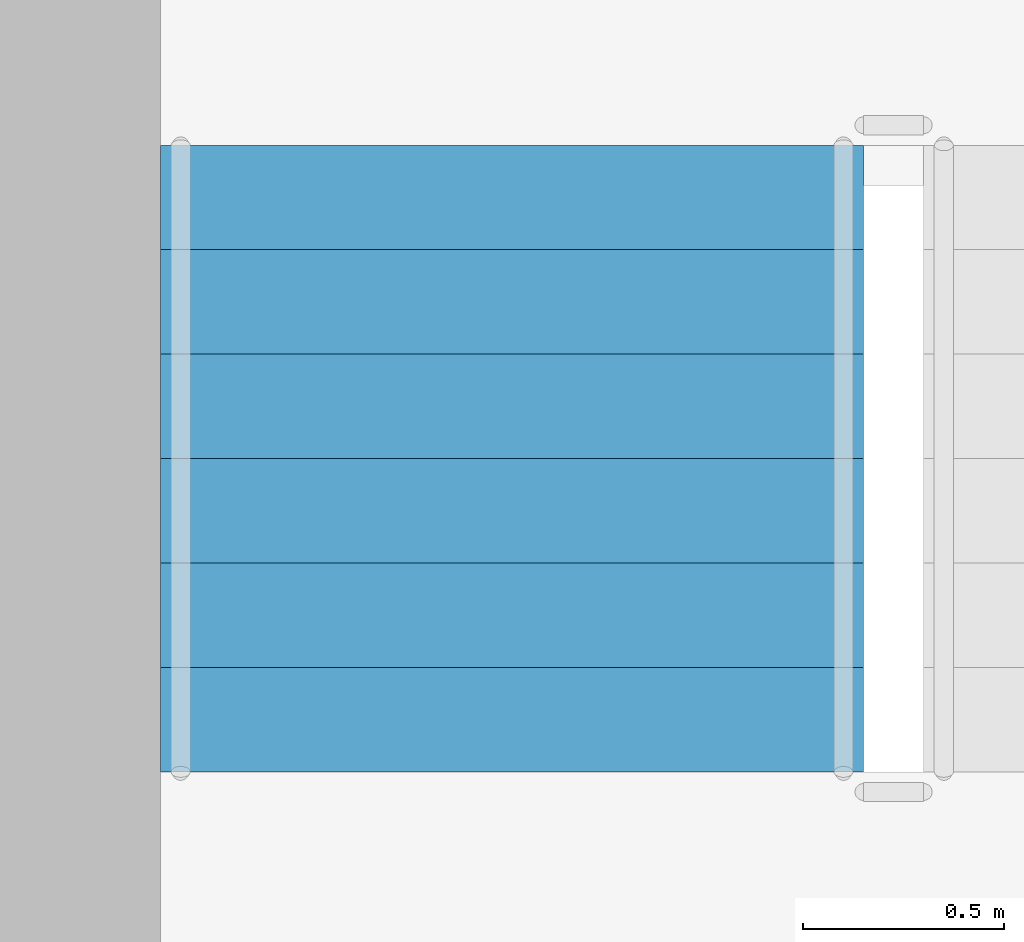
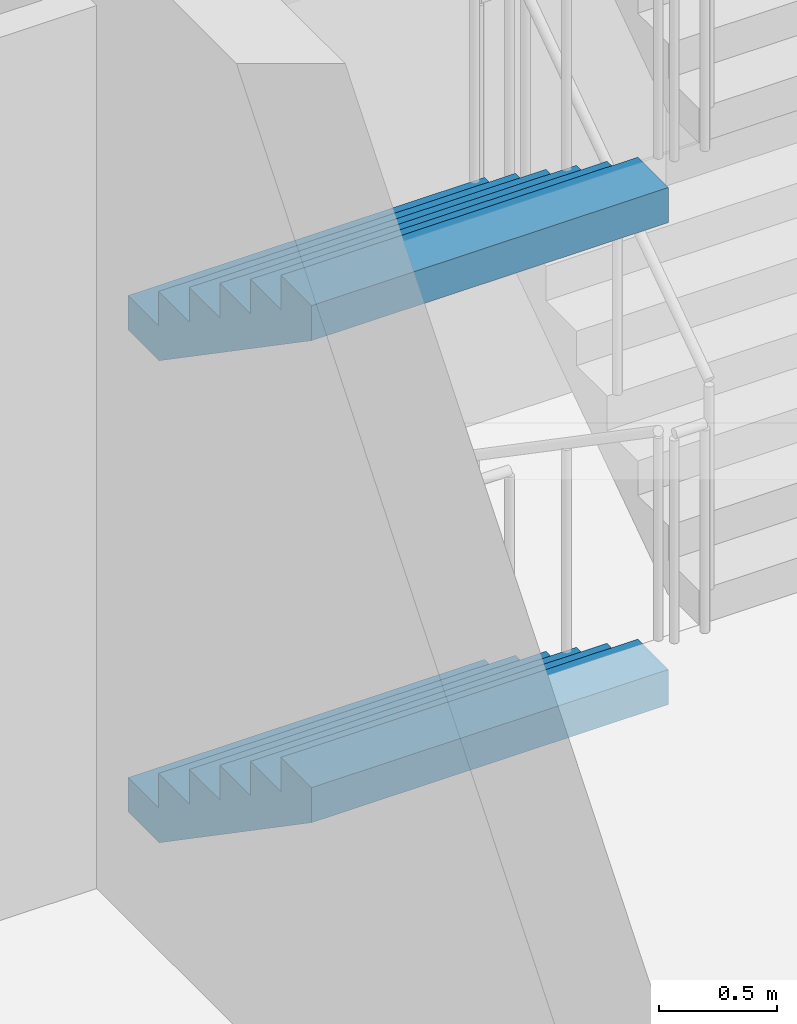
# One storey, part 36 of 59: 2 stair flights, 1 element without a shape of its own.
"""IFC4 building model written with IfcOpenShell, lengths in metres."""

from ifc_helpers import new_model, si_unit, direction, frame, origin, place, context, subcontext, project, spatial, faceted_brep, material, type_object, element, aggregate, save


model = new_model("IFC4")

# Units and contexts
model_context = context("Model", 3, precision=1e-05, world=origin(), true_north=direction((0.0, 1.0)))
body_context = subcontext(model_context, "Body", "Model", "MODEL_VIEW")
ifc_project = project(units=[si_unit("LENGTHUNIT", "METRE"), si_unit("AREAUNIT", "SQUARE_METRE"), si_unit("VOLUMEUNIT", "CUBIC_METRE"), si_unit("PLANEANGLEUNIT", "RADIAN"), si_unit("MASSUNIT", "GRAM", prefix="KILO")], contexts=[model_context])

# Site, building, storey
site_placement = place(None, origin())
site = spatial("IfcSite", under=ifc_project, at=site_placement, CompositionType="ELEMENT")
building_placement = place(site_placement, origin())
building = spatial("IfcBuilding", under=site, at=building_placement, Name="Ipe Terrace Towers", CompositionType="ELEMENT")
storey_placement = place(building_placement, frame((0.0, 0.0, 6.0)))
storey = spatial("IfcBuildingStorey", under=building, at=storey_placement, Name="L01", CompositionType="ELEMENT", Elevation=6.0)

# Stair, stair flights
ifc_material_1 = material(Name="Concrete C30/37", Category="concrete")
stair_type = type_object("IfcStairType", Name="Protected exit stair", PredefinedType="HALF_TURN_STAIR", material=ifc_material_1)
stair_placement = place(storey_placement, origin())
stair = element("IfcStair", 1, at=stair_placement, inside=storey, type_object=stair_type, Name="L01 Exit stair T2-C2", PredefinedType="HALF_TURN_STAIR")
ifc_material_2 = material(Name="Concrete C30/37", Category="concrete")
stair_flight_type = type_object("IfcStairFlightType", Name="Exit stair flight 1750", PredefinedType="STRAIGHT", material=ifc_material_2)
stair_flight_1_placement = place(storey_placement, frame((38.77490234375, -9.699951171875, 0.0), z_axis=(0.0, 0.0, 1.0), x_axis=(0.0, -1.0, 0.0)))
stair_flight_1 = element("IfcStairFlight", 2, at=stair_flight_1_placement, type_object=stair_flight_type, Name="T2-ST2 flight 1", NumberOfRisers=7, NumberOfTreads=6, PredefinedType="STRAIGHT", RiserHeight=0.178571429, TreadLength=0.26, context=body_context, shape_type="Brep", body=[
    faceted_brep([(0.264892578125, -0.875, 0.0), (1.56005859375, -0.875, 0.8896484375), (1.56005859375, -0.875, 1.071533203125), (1.300048828125, -0.875, 1.071533203125), (1.300048828125, -0.875, 0.892822265625), (1.0400390625, -0.875, 0.892822265625), (1.0400390625, -0.875, 0.71435546875), (0.780029296875, -0.875, 0.71435546875), (0.780029296875, -0.875, 0.53564453125), (0.52001953125, -0.875, 0.53564453125), (0.52001953125, -0.875, 0.357177734375), (0.260009765625, -0.875, 0.357177734375), (0.260009765625, -0.875, 0.178466796875), (0.0, -0.875, 0.178466796875), (0.0, -0.875, 0.0), (0.0, 0.875, 0.0), (0.0, 0.875, 0.178466796875), (0.260009765625, 0.875, 0.178466796875), (0.260009765625, 0.875, 0.357177734375), (0.52001953125, 0.875, 0.357177734375), (0.52001953125, 0.875, 0.53564453125), (0.780029296875, 0.875, 0.53564453125), (0.780029296875, 0.875, 0.71435546875), (1.0400390625, 0.875, 0.71435546875), (1.0400390625, 0.875, 0.892822265625), (1.300048828125, 0.875, 0.892822265625), (1.300048828125, 0.875, 1.071533203125), (1.56005859375, 0.875, 1.071533203125), (1.56005859375, 0.875, 0.8896484375), (0.264892578125, 0.875, 0.0), (0.0, -0.300048828125, 0.178466796875), (0.0, -0.1201171875, 0.178466796875), (0.0, -0.06005859375, 0.178466796875), (0.0, -0.030029296875, 0.178466796875), (0.0, -0.010009765625, 0.178466796875), (0.0, 0.0, 0.178466796875), (0.0, 0.010009765625, 0.178466796875), (0.0, 0.030029296875, 0.178466796875), (0.0, 0.06005859375, 0.178466796875), (0.0, 0.1201171875, 0.178466796875), (0.0, 0.300048828125, 0.178466796875), (0.0, 0.300048828125, 0.0), (0.0, 0.1201171875, 0.0), (0.0, 0.06005859375, 0.0), (0.0, 0.030029296875, 0.0), (0.0, 0.010009765625, 0.0), (0.0, 0.0, 0.0), (0.0, -0.010009765625, 0.0), (0.0, -0.030029296875, 0.0), (0.0, -0.06005859375, 0.0), (0.0, -0.1201171875, 0.0), (0.0, -0.300048828125, 0.0), (0.260009765625, -0.300048828125, 0.178466796875), (0.260009765625, -0.1201171875, 0.178466796875), (0.260009765625, -0.06005859375, 0.178466796875), (0.260009765625, -0.030029296875, 0.178466796875), (0.260009765625, -0.010009765625, 0.178466796875), (0.260009765625, 0.0, 0.178466796875), (0.260009765625, 0.010009765625, 0.178466796875), (0.260009765625, 0.030029296875, 0.178466796875), (0.260009765625, 0.06005859375, 0.178466796875), (0.260009765625, 0.1201171875, 0.178466796875), (0.260009765625, 0.300048828125, 0.178466796875), (0.260009765625, -0.300048828125, 0.357177734375), (0.260009765625, -0.1201171875, 0.357177734375), (0.260009765625, -0.06005859375, 0.357177734375), (0.260009765625, -0.030029296875, 0.357177734375), (0.260009765625, -0.010009765625, 0.357177734375), (0.260009765625, 0.0, 0.357177734375), (0.260009765625, 0.010009765625, 0.357177734375), (0.260009765625, 0.030029296875, 0.357177734375), (0.260009765625, 0.06005859375, 0.357177734375), (0.260009765625, 0.1201171875, 0.357177734375), (0.260009765625, 0.300048828125, 0.357177734375), (0.52001953125, -0.300048828125, 0.357177734375), (0.52001953125, -0.1201171875, 0.357177734375), (0.52001953125, -0.06005859375, 0.357177734375), (0.52001953125, -0.030029296875, 0.357177734375), (0.52001953125, -0.010009765625, 0.357177734375), (0.52001953125, 0.0, 0.357177734375), (0.52001953125, 0.010009765625, 0.357177734375), (0.52001953125, 0.030029296875, 0.357177734375), (0.52001953125, 0.06005859375, 0.357177734375), (0.52001953125, 0.1201171875, 0.357177734375), (0.52001953125, 0.300048828125, 0.357177734375), (0.52001953125, -0.300048828125, 0.53564453125), (0.52001953125, -0.1201171875, 0.53564453125), (0.52001953125, -0.06005859375, 0.53564453125), (0.52001953125, -0.030029296875, 0.53564453125), (0.52001953125, -0.010009765625, 0.53564453125), (0.52001953125, 0.0, 0.53564453125), (0.52001953125, 0.010009765625, 0.53564453125), (0.52001953125, 0.030029296875, 0.53564453125), (0.52001953125, 0.06005859375, 0.53564453125), (0.52001953125, 0.1201171875, 0.53564453125), (0.52001953125, 0.300048828125, 0.53564453125), (0.780029296875, -0.300048828125, 0.53564453125), (0.780029296875, -0.1201171875, 0.53564453125), (0.780029296875, -0.06005859375, 0.53564453125), (0.780029296875, -0.030029296875, 0.53564453125), (0.780029296875, -0.010009765625, 0.53564453125), (0.780029296875, 0.0, 0.53564453125), (0.780029296875, 0.010009765625, 0.53564453125), (0.780029296875, 0.030029296875, 0.53564453125), (0.780029296875, 0.06005859375, 0.53564453125), (0.780029296875, 0.1201171875, 0.53564453125), (0.780029296875, 0.300048828125, 0.53564453125), (0.780029296875, -0.300048828125, 0.71435546875), (0.780029296875, -0.1201171875, 0.71435546875), (0.780029296875, -0.06005859375, 0.71435546875), (0.780029296875, -0.030029296875, 0.71435546875), (0.780029296875, -0.010009765625, 0.71435546875), (0.780029296875, 0.0, 0.71435546875), (0.780029296875, 0.010009765625, 0.71435546875), (0.780029296875, 0.030029296875, 0.71435546875), (0.780029296875, 0.06005859375, 0.71435546875), (0.780029296875, 0.1201171875, 0.71435546875), (0.780029296875, 0.300048828125, 0.71435546875), (1.0400390625, -0.300048828125, 0.71435546875), (1.0400390625, -0.1201171875, 0.71435546875), (1.0400390625, -0.06005859375, 0.71435546875), (1.0400390625, -0.030029296875, 0.71435546875), (1.0400390625, -0.010009765625, 0.71435546875), (1.0400390625, 0.0, 0.71435546875), (1.0400390625, 0.010009765625, 0.71435546875), (1.0400390625, 0.030029296875, 0.71435546875), (1.0400390625, 0.06005859375, 0.71435546875), (1.0400390625, 0.1201171875, 0.71435546875), (1.0400390625, 0.300048828125, 0.71435546875), (1.0400390625, -0.300048828125, 0.892822265625), (1.0400390625, -0.1201171875, 0.892822265625), (1.0400390625, -0.06005859375, 0.892822265625), (1.0400390625, -0.030029296875, 0.892822265625), (1.0400390625, -0.010009765625, 0.892822265625), (1.0400390625, 0.0, 0.892822265625), (1.0400390625, 0.010009765625, 0.892822265625), (1.0400390625, 0.030029296875, 0.892822265625), (1.0400390625, 0.06005859375, 0.892822265625), (1.0400390625, 0.1201171875, 0.892822265625), (1.0400390625, 0.300048828125, 0.892822265625), (1.300048828125, -0.300048828125, 0.892822265625), (1.300048828125, -0.1201171875, 0.892822265625), (1.300048828125, -0.06005859375, 0.892822265625), (1.300048828125, -0.030029296875, 0.892822265625), (1.300048828125, -0.010009765625, 0.892822265625), (1.300048828125, 0.0, 0.892822265625), (1.300048828125, 0.010009765625, 0.892822265625), (1.300048828125, 0.030029296875, 0.892822265625), (1.300048828125, 0.06005859375, 0.892822265625), (1.300048828125, 0.1201171875, 0.892822265625), (1.300048828125, 0.300048828125, 0.892822265625), (1.300048828125, -0.300048828125, 1.071533203125), (1.300048828125, -0.1201171875, 1.071533203125), (1.300048828125, -0.06005859375, 1.071533203125), (1.300048828125, -0.030029296875, 1.071533203125), (1.300048828125, -0.010009765625, 1.071533203125), (1.300048828125, 0.0, 1.071533203125), (1.300048828125, 0.010009765625, 1.071533203125), (1.300048828125, 0.030029296875, 1.071533203125), (1.300048828125, 0.06005859375, 1.071533203125), (1.300048828125, 0.1201171875, 1.071533203125), (1.300048828125, 0.300048828125, 1.071533203125), (1.56005859375, -0.300048828125, 1.071533203125), (1.56005859375, -0.1201171875, 1.071533203125), (1.56005859375, -0.06005859375, 1.071533203125), (1.56005859375, -0.030029296875, 1.071533203125), (1.56005859375, -0.010009765625, 1.071533203125), (1.56005859375, 0.0, 1.071533203125), (1.56005859375, 0.010009765625, 1.071533203125), (1.56005859375, 0.030029296875, 1.071533203125), (1.56005859375, 0.06005859375, 1.071533203125), (1.56005859375, 0.1201171875, 1.071533203125), (1.56005859375, 0.300048828125, 1.071533203125), (1.56005859375, -0.300048828125, 0.8896484375), (1.56005859375, -0.1201171875, 0.8896484375), (1.56005859375, -0.06005859375, 0.8896484375), (1.56005859375, -0.030029296875, 0.8896484375), (1.56005859375, -0.010009765625, 0.8896484375), (1.56005859375, 0.0, 0.8896484375), (1.56005859375, 0.010009765625, 0.8896484375), (1.56005859375, 0.030029296875, 0.8896484375), (1.56005859375, 0.06005859375, 0.8896484375), (1.56005859375, 0.1201171875, 0.8896484375), (1.56005859375, 0.300048828125, 0.8896484375), (0.264892578125, -0.300048828125, 0.0), (0.264892578125, -0.1201171875, 0.0), (0.264892578125, -0.06005859375, 0.0), (0.264892578125, -0.030029296875, 0.0), (0.264892578125, -0.010009765625, 0.0), (0.264892578125, 0.0, 0.0), (0.264892578125, 0.010009765625, 0.0), (0.264892578125, 0.030029296875, 0.0), (0.264892578125, 0.06005859375, 0.0), (0.264892578125, 0.1201171875, 0.0), (0.264892578125, 0.300048828125, 0.0)], [[[0, 1, 2, 3, 4, 5, 6, 7, 8, 9, 10, 11, 12, 13, 14]], [[15, 16, 17, 18, 19, 20, 21, 22, 23, 24, 25, 26, 27, 28, 29]], [[13, 30, 31, 32, 33, 34, 35, 36, 37, 38, 39, 40, 16, 15, 41, 42, 43, 44, 45, 46, 47, 48, 49, 50, 51, 14]], [[12, 52, 53, 54, 55, 56, 57, 58, 59, 60, 61, 62, 17, 16, 40, 39, 38, 37, 36, 35, 34, 33, 32, 31, 30, 13]], [[11, 63, 64, 65, 66, 67, 68, 69, 70, 71, 72, 73, 18, 17, 62, 61, 60, 59, 58, 57, 56, 55, 54, 53, 52, 12]], [[10, 74, 75, 76, 77, 78, 79, 80, 81, 82, 83, 84, 19, 18, 73, 72, 71, 70, 69, 68, 67, 66, 65, 64, 63, 11]], [[9, 85, 86, 87, 88, 89, 90, 91, 92, 93, 94, 95, 20, 19, 84, 83, 82, 81, 80, 79, 78, 77, 76, 75, 74, 10]], [[8, 96, 97, 98, 99, 100, 101, 102, 103, 104, 105, 106, 21, 20, 95, 94, 93, 92, 91, 90, 89, 88, 87, 86, 85, 9]], [[7, 107, 108, 109, 110, 111, 112, 113, 114, 115, 116, 117, 22, 21, 106, 105, 104, 103, 102, 101, 100, 99, 98, 97, 96, 8]], [[6, 118, 119, 120, 121, 122, 123, 124, 125, 126, 127, 128, 23, 22, 117, 116, 115, 114, 113, 112, 111, 110, 109, 108, 107, 7]], [[5, 129, 130, 131, 132, 133, 134, 135, 136, 137, 138, 139, 24, 23, 128, 127, 126, 125, 124, 123, 122, 121, 120, 119, 118, 6]], [[4, 140, 141, 142, 143, 144, 145, 146, 147, 148, 149, 150, 25, 24, 139, 138, 137, 136, 135, 134, 133, 132, 131, 130, 129, 5]], [[3, 151, 152, 153, 154, 155, 156, 157, 158, 159, 160, 161, 26, 25, 150, 149, 148, 147, 146, 145, 144, 143, 142, 141, 140, 4]], [[2, 162, 163, 164, 165, 166, 167, 168, 169, 170, 171, 172, 27, 26, 161, 160, 159, 158, 157, 156, 155, 154, 153, 152, 151, 3]], [[1, 173, 174, 175, 176, 177, 178, 179, 180, 181, 182, 183, 28, 27, 172, 171, 170, 169, 168, 167, 166, 165, 164, 163, 162, 2]], [[0, 184, 185, 186, 187, 188, 189, 190, 191, 192, 193, 194, 29, 28, 183, 182, 181, 180, 179, 178, 177, 176, 175, 174, 173, 1]], [[14, 51, 50, 49, 48, 47, 46, 45, 44, 43, 42, 41, 15, 29, 194, 193, 192, 191, 190, 189, 188, 187, 186, 185, 184, 0]]]),
])
stair_flight_2_placement = place(storey_placement, frame((38.77490234375, -9.699951171875, 2.5), z_axis=(0.0, 0.0, 1.0), x_axis=(0.0, -1.0, 0.0)))
stair_flight_2 = element("IfcStairFlight", 3, at=stair_flight_2_placement, type_object=stair_flight_type, Name="T2-ST2 flight 3", NumberOfRisers=7, NumberOfTreads=6, PredefinedType="STRAIGHT", RiserHeight=0.178571429, TreadLength=0.26, context=body_context, shape_type="Brep", body=[
    faceted_brep([(0.264892578125, -0.875, 0.0), (1.56005859375, -0.875, 0.8896484375), (1.56005859375, -0.875, 1.071533203125), (1.300048828125, -0.875, 1.071533203125), (1.300048828125, -0.875, 0.892822265625), (1.0400390625, -0.875, 0.892822265625), (1.0400390625, -0.875, 0.71435546875), (0.780029296875, -0.875, 0.71435546875), (0.780029296875, -0.875, 0.53564453125), (0.52001953125, -0.875, 0.53564453125), (0.52001953125, -0.875, 0.357177734375), (0.260009765625, -0.875, 0.357177734375), (0.260009765625, -0.875, 0.178466796875), (0.0, -0.875, 0.178466796875), (0.0, -0.875, 0.0), (0.0, 0.875, 0.0), (0.0, 0.875, 0.178466796875), (0.260009765625, 0.875, 0.178466796875), (0.260009765625, 0.875, 0.357177734375), (0.52001953125, 0.875, 0.357177734375), (0.52001953125, 0.875, 0.53564453125), (0.780029296875, 0.875, 0.53564453125), (0.780029296875, 0.875, 0.71435546875), (1.0400390625, 0.875, 0.71435546875), (1.0400390625, 0.875, 0.892822265625), (1.300048828125, 0.875, 0.892822265625), (1.300048828125, 0.875, 1.071533203125), (1.56005859375, 0.875, 1.071533203125), (1.56005859375, 0.875, 0.8896484375), (0.264892578125, 0.875, 0.0), (0.0, -0.300048828125, 0.178466796875), (0.0, -0.1201171875, 0.178466796875), (0.0, -0.06005859375, 0.178466796875), (0.0, -0.030029296875, 0.178466796875), (0.0, -0.010009765625, 0.178466796875), (0.0, 0.0, 0.178466796875), (0.0, 0.010009765625, 0.178466796875), (0.0, 0.030029296875, 0.178466796875), (0.0, 0.06005859375, 0.178466796875), (0.0, 0.1201171875, 0.178466796875), (0.0, 0.300048828125, 0.178466796875), (0.0, 0.300048828125, 0.0), (0.0, 0.1201171875, 0.0), (0.0, 0.06005859375, 0.0), (0.0, 0.030029296875, 0.0), (0.0, 0.010009765625, 0.0), (0.0, 0.0, 0.0), (0.0, -0.010009765625, 0.0), (0.0, -0.030029296875, 0.0), (0.0, -0.06005859375, 0.0), (0.0, -0.1201171875, 0.0), (0.0, -0.300048828125, 0.0), (0.260009765625, -0.300048828125, 0.178466796875), (0.260009765625, -0.1201171875, 0.178466796875), (0.260009765625, -0.06005859375, 0.178466796875), (0.260009765625, -0.030029296875, 0.178466796875), (0.260009765625, -0.010009765625, 0.178466796875), (0.260009765625, 0.0, 0.178466796875), (0.260009765625, 0.010009765625, 0.178466796875), (0.260009765625, 0.030029296875, 0.178466796875), (0.260009765625, 0.06005859375, 0.178466796875), (0.260009765625, 0.1201171875, 0.178466796875), (0.260009765625, 0.300048828125, 0.178466796875), (0.260009765625, -0.300048828125, 0.357177734375), (0.260009765625, -0.1201171875, 0.357177734375), (0.260009765625, -0.06005859375, 0.357177734375), (0.260009765625, -0.030029296875, 0.357177734375), (0.260009765625, -0.010009765625, 0.357177734375), (0.260009765625, 0.0, 0.357177734375), (0.260009765625, 0.010009765625, 0.357177734375), (0.260009765625, 0.030029296875, 0.357177734375), (0.260009765625, 0.06005859375, 0.357177734375), (0.260009765625, 0.1201171875, 0.357177734375), (0.260009765625, 0.300048828125, 0.357177734375), (0.52001953125, -0.300048828125, 0.357177734375), (0.52001953125, -0.1201171875, 0.357177734375), (0.52001953125, -0.06005859375, 0.357177734375), (0.52001953125, -0.030029296875, 0.357177734375), (0.52001953125, -0.010009765625, 0.357177734375), (0.52001953125, 0.0, 0.357177734375), (0.52001953125, 0.010009765625, 0.357177734375), (0.52001953125, 0.030029296875, 0.357177734375), (0.52001953125, 0.06005859375, 0.357177734375), (0.52001953125, 0.1201171875, 0.357177734375), (0.52001953125, 0.300048828125, 0.357177734375), (0.52001953125, -0.300048828125, 0.53564453125), (0.52001953125, -0.1201171875, 0.53564453125), (0.52001953125, -0.06005859375, 0.53564453125), (0.52001953125, -0.030029296875, 0.53564453125), (0.52001953125, -0.010009765625, 0.53564453125), (0.52001953125, 0.0, 0.53564453125), (0.52001953125, 0.010009765625, 0.53564453125), (0.52001953125, 0.030029296875, 0.53564453125), (0.52001953125, 0.06005859375, 0.53564453125), (0.52001953125, 0.1201171875, 0.53564453125), (0.52001953125, 0.300048828125, 0.53564453125), (0.780029296875, -0.300048828125, 0.53564453125), (0.780029296875, -0.1201171875, 0.53564453125), (0.780029296875, -0.06005859375, 0.53564453125), (0.780029296875, -0.030029296875, 0.53564453125), (0.780029296875, -0.010009765625, 0.53564453125), (0.780029296875, 0.0, 0.53564453125), (0.780029296875, 0.010009765625, 0.53564453125), (0.780029296875, 0.030029296875, 0.53564453125), (0.780029296875, 0.06005859375, 0.53564453125), (0.780029296875, 0.1201171875, 0.53564453125), (0.780029296875, 0.300048828125, 0.53564453125), (0.780029296875, -0.300048828125, 0.71435546875), (0.780029296875, -0.1201171875, 0.71435546875), (0.780029296875, -0.06005859375, 0.71435546875), (0.780029296875, -0.030029296875, 0.71435546875), (0.780029296875, -0.010009765625, 0.71435546875), (0.780029296875, 0.0, 0.71435546875), (0.780029296875, 0.010009765625, 0.71435546875), (0.780029296875, 0.030029296875, 0.71435546875), (0.780029296875, 0.06005859375, 0.71435546875), (0.780029296875, 0.1201171875, 0.71435546875), (0.780029296875, 0.300048828125, 0.71435546875), (1.0400390625, -0.300048828125, 0.71435546875), (1.0400390625, -0.1201171875, 0.71435546875), (1.0400390625, -0.06005859375, 0.71435546875), (1.0400390625, -0.030029296875, 0.71435546875), (1.0400390625, -0.010009765625, 0.71435546875), (1.0400390625, 0.0, 0.71435546875), (1.0400390625, 0.010009765625, 0.71435546875), (1.0400390625, 0.030029296875, 0.71435546875), (1.0400390625, 0.06005859375, 0.71435546875), (1.0400390625, 0.1201171875, 0.71435546875), (1.0400390625, 0.300048828125, 0.71435546875), (1.0400390625, -0.300048828125, 0.892822265625), (1.0400390625, -0.1201171875, 0.892822265625), (1.0400390625, -0.06005859375, 0.892822265625), (1.0400390625, -0.030029296875, 0.892822265625), (1.0400390625, -0.010009765625, 0.892822265625), (1.0400390625, 0.0, 0.892822265625), (1.0400390625, 0.010009765625, 0.892822265625), (1.0400390625, 0.030029296875, 0.892822265625), (1.0400390625, 0.06005859375, 0.892822265625), (1.0400390625, 0.1201171875, 0.892822265625), (1.0400390625, 0.300048828125, 0.892822265625), (1.300048828125, -0.300048828125, 0.892822265625), (1.300048828125, -0.1201171875, 0.892822265625), (1.300048828125, -0.06005859375, 0.892822265625), (1.300048828125, -0.030029296875, 0.892822265625), (1.300048828125, -0.010009765625, 0.892822265625), (1.300048828125, 0.0, 0.892822265625), (1.300048828125, 0.010009765625, 0.892822265625), (1.300048828125, 0.030029296875, 0.892822265625), (1.300048828125, 0.06005859375, 0.892822265625), (1.300048828125, 0.1201171875, 0.892822265625), (1.300048828125, 0.300048828125, 0.892822265625), (1.300048828125, -0.300048828125, 1.071533203125), (1.300048828125, -0.1201171875, 1.071533203125), (1.300048828125, -0.06005859375, 1.071533203125), (1.300048828125, -0.030029296875, 1.071533203125), (1.300048828125, -0.010009765625, 1.071533203125), (1.300048828125, 0.0, 1.071533203125), (1.300048828125, 0.010009765625, 1.071533203125), (1.300048828125, 0.030029296875, 1.071533203125), (1.300048828125, 0.06005859375, 1.071533203125), (1.300048828125, 0.1201171875, 1.071533203125), (1.300048828125, 0.300048828125, 1.071533203125), (1.56005859375, -0.300048828125, 1.071533203125), (1.56005859375, -0.1201171875, 1.071533203125), (1.56005859375, -0.06005859375, 1.071533203125), (1.56005859375, -0.030029296875, 1.071533203125), (1.56005859375, -0.010009765625, 1.071533203125), (1.56005859375, 0.0, 1.071533203125), (1.56005859375, 0.010009765625, 1.071533203125), (1.56005859375, 0.030029296875, 1.071533203125), (1.56005859375, 0.06005859375, 1.071533203125), (1.56005859375, 0.1201171875, 1.071533203125), (1.56005859375, 0.300048828125, 1.071533203125), (1.56005859375, -0.300048828125, 0.8896484375), (1.56005859375, -0.1201171875, 0.8896484375), (1.56005859375, -0.06005859375, 0.8896484375), (1.56005859375, -0.030029296875, 0.8896484375), (1.56005859375, -0.010009765625, 0.8896484375), (1.56005859375, 0.0, 0.8896484375), (1.56005859375, 0.010009765625, 0.8896484375), (1.56005859375, 0.030029296875, 0.8896484375), (1.56005859375, 0.06005859375, 0.8896484375), (1.56005859375, 0.1201171875, 0.8896484375), (1.56005859375, 0.300048828125, 0.8896484375), (0.264892578125, -0.300048828125, 0.0), (0.264892578125, -0.1201171875, 0.0), (0.264892578125, -0.06005859375, 0.0), (0.264892578125, -0.030029296875, 0.0), (0.264892578125, -0.010009765625, 0.0), (0.264892578125, 0.0, 0.0), (0.264892578125, 0.010009765625, 0.0), (0.264892578125, 0.030029296875, 0.0), (0.264892578125, 0.06005859375, 0.0), (0.264892578125, 0.1201171875, 0.0), (0.264892578125, 0.300048828125, 0.0)], [[[0, 1, 2, 3, 4, 5, 6, 7, 8, 9, 10, 11, 12, 13, 14]], [[15, 16, 17, 18, 19, 20, 21, 22, 23, 24, 25, 26, 27, 28, 29]], [[13, 30, 31, 32, 33, 34, 35, 36, 37, 38, 39, 40, 16, 15, 41, 42, 43, 44, 45, 46, 47, 48, 49, 50, 51, 14]], [[12, 52, 53, 54, 55, 56, 57, 58, 59, 60, 61, 62, 17, 16, 40, 39, 38, 37, 36, 35, 34, 33, 32, 31, 30, 13]], [[11, 63, 64, 65, 66, 67, 68, 69, 70, 71, 72, 73, 18, 17, 62, 61, 60, 59, 58, 57, 56, 55, 54, 53, 52, 12]], [[10, 74, 75, 76, 77, 78, 79, 80, 81, 82, 83, 84, 19, 18, 73, 72, 71, 70, 69, 68, 67, 66, 65, 64, 63, 11]], [[9, 85, 86, 87, 88, 89, 90, 91, 92, 93, 94, 95, 20, 19, 84, 83, 82, 81, 80, 79, 78, 77, 76, 75, 74, 10]], [[8, 96, 97, 98, 99, 100, 101, 102, 103, 104, 105, 106, 21, 20, 95, 94, 93, 92, 91, 90, 89, 88, 87, 86, 85, 9]], [[7, 107, 108, 109, 110, 111, 112, 113, 114, 115, 116, 117, 22, 21, 106, 105, 104, 103, 102, 101, 100, 99, 98, 97, 96, 8]], [[6, 118, 119, 120, 121, 122, 123, 124, 125, 126, 127, 128, 23, 22, 117, 116, 115, 114, 113, 112, 111, 110, 109, 108, 107, 7]], [[5, 129, 130, 131, 132, 133, 134, 135, 136, 137, 138, 139, 24, 23, 128, 127, 126, 125, 124, 123, 122, 121, 120, 119, 118, 6]], [[4, 140, 141, 142, 143, 144, 145, 146, 147, 148, 149, 150, 25, 24, 139, 138, 137, 136, 135, 134, 133, 132, 131, 130, 129, 5]], [[3, 151, 152, 153, 154, 155, 156, 157, 158, 159, 160, 161, 26, 25, 150, 149, 148, 147, 146, 145, 144, 143, 142, 141, 140, 4]], [[2, 162, 163, 164, 165, 166, 167, 168, 169, 170, 171, 172, 27, 26, 161, 160, 159, 158, 157, 156, 155, 154, 153, 152, 151, 3]], [[1, 173, 174, 175, 176, 177, 178, 179, 180, 181, 182, 183, 28, 27, 172, 171, 170, 169, 168, 167, 166, 165, 164, 163, 162, 2]], [[0, 184, 185, 186, 187, 188, 189, 190, 191, 192, 193, 194, 29, 28, 183, 182, 181, 180, 179, 178, 177, 176, 175, 174, 173, 1]], [[14, 51, 50, 49, 48, 47, 46, 45, 44, 43, 42, 41, 15, 29, 194, 193, 192, 191, 190, 189, 188, 187, 186, 185, 184, 0]]]),
])
aggregate(stair, [stair_flight_1, stair_flight_2])

save(model, "model.ifc")
